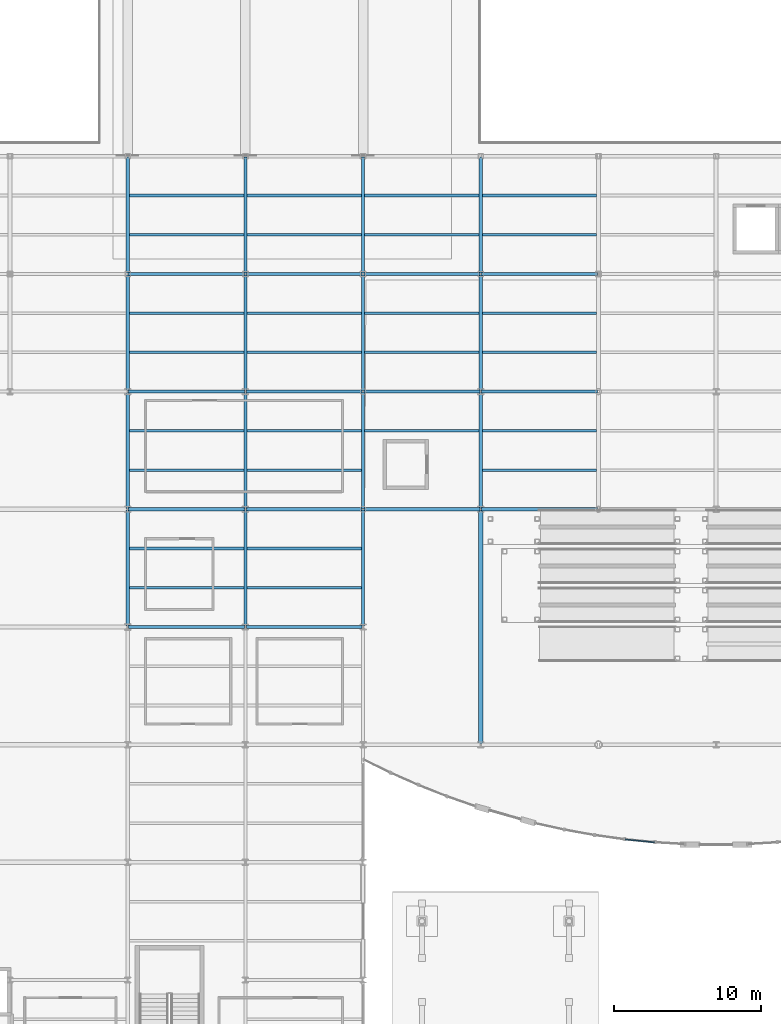
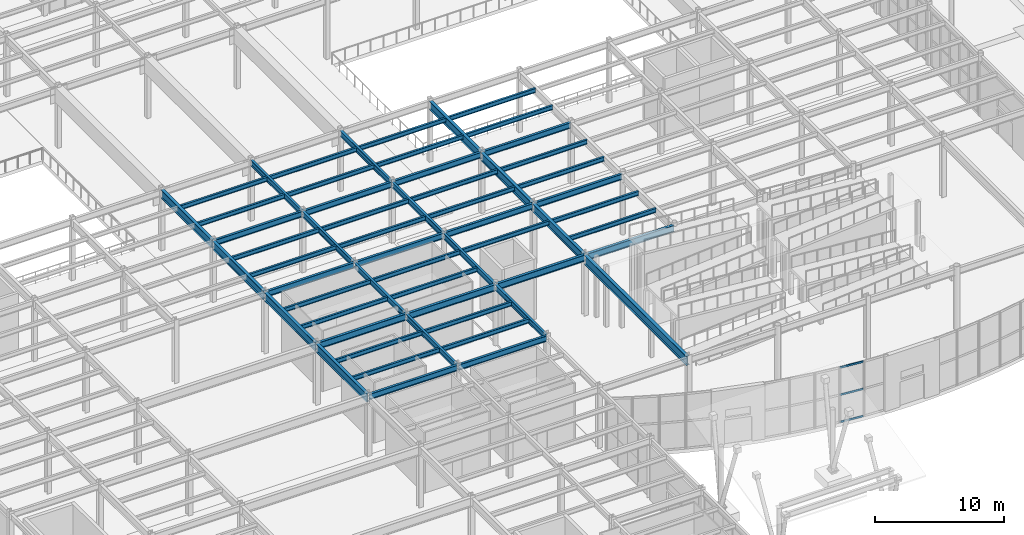
# One storey, part 33 of 82: 57 beams, 3 members, 1 element without a shape of its own.
"""IFC4 building model written with IfcOpenShell, lengths in metres."""

from ifc_helpers import new_model, si_unit, direction, frame, origin, origin_2d, place, context, subcontext, project, spatial, rectangle, i_section, extrude, material, material_profile, profile_set, type_object, element, aggregate, save


model = new_model("IFC4")

# Units and contexts
model_context = context("Model", 3, precision=1e-05, world=origin(), true_north=direction((0.0, 1.0)))
body_context = subcontext(model_context, "Body", "Model", "MODEL_VIEW")
ifc_project = project(units=[si_unit("LENGTHUNIT", "METRE"), si_unit("AREAUNIT", "SQUARE_METRE"), si_unit("VOLUMEUNIT", "CUBIC_METRE"), si_unit("PLANEANGLEUNIT", "RADIAN"), si_unit("MASSUNIT", "GRAM", prefix="KILO")], contexts=[model_context])

# Site, building, storey
site_placement = place(None, origin())
site = spatial("IfcSite", under=ifc_project, at=site_placement, CompositionType="ELEMENT")
building_placement = place(site_placement, origin())
building = spatial("IfcBuilding", under=site, at=building_placement, Name="Drelvath Fold Interchange", CompositionType="ELEMENT")
storey_placement = place(building_placement, origin())
storey = spatial("IfcBuildingStorey", under=building, at=storey_placement, Name="L00", CompositionType="ELEMENT", Elevation=0.0)

# Beams
ifc_material_1 = material(Name="Steel ASTM A992 Grade 50", Category="steel")
ifc_material_profile_1 = material_profile(ifc_material_1, i_section(OverallWidth=0.177978515625, OverallDepth=0.403076171875, WebThickness=0.007568359375, FlangeThickness=0.010986328125, at=origin_2d()), Name="W16X36")
ifc_profile_set_1 = profile_set([ifc_material_profile_1], Name="Steel ASTM A992 Grade 50")
beam_type_1 = type_object("IfcBeamType", Name="BM-W16X36", PredefinedType="JOIST", material=ifc_profile_set_1)
for number, where, z_axis, x_axis, name in (
    (1, (36.131103515625, 37.6669921875, 5.55810546875), (1.0, 0.0, 0.0), (0.0, 1.0, 0.0), "L00 Secondary floor joist BM-W16X36"),
    (2, (36.131103515625, 40.3330078125, 5.55810546875), (1.0, 0.0, 0.0), (0.0, 1.0, 0.0), "L00 Secondary floor joist BM-W16X36"),
    (3, (36.131103515625, 45.6669921875, 5.55810546875), (1.0, 0.0, 0.0), (0.0, 1.0, 0.0), "L00 Secondary floor joist BM-W16X36"),
    (4, (36.131103515625, 48.3330078125, 5.55810546875), (1.0, 0.0, 0.0), (0.0, 1.0, 0.0), "L00 Secondary floor joist BM-W16X36"),
    (5, (36.131103515625, 53.6669921875, 5.55810546875), (1.0, 0.0, 0.0), (0.0, 1.0, 0.0), "L00 Secondary floor joist BM-W16X36"),
    (6, (36.131103515625, 56.3330078125, 5.55810546875), (1.0, 0.0, 0.0), (0.0, 1.0, 0.0), "L00 Secondary floor joist BM-W16X36"),
    (7, (36.131103515625, 61.6669921875, 5.55810546875), (1.0, 0.0, 0.0), (0.0, 1.0, 0.0), "L00 Secondary floor joist BM-W16X36"),
    (8, (36.131103515625, 64.3330078125, 5.55810546875), (1.0, 0.0, 0.0), (0.0, 1.0, 0.0), "L00 Secondary floor joist BM-W16X36"),
):
    element("IfcBeam", number, at=place(storey_placement, frame(where, z_axis=z_axis, x_axis=x_axis)), inside=storey, type_object=beam_type_1, Name=name, PredefinedType="JOIST", context=body_context, shape_type="SweptSolid", body=[
        extrude(i_section(OverallWidth=0.177978515625, OverallDepth=0.403076171875, WebThickness=0.007568359375, FlangeThickness=0.010986328125, at=origin_2d()), origin(), (0.0, 0.0, 1.0), 7.765869140625),
    ])
for number, where, z_axis, x_axis, name in (
    (9, (44.10302734375, 37.6669921875, 5.5380859375), (1.0, 0.0, 0.0), (0.0, 1.0, 0.0), "L00 Secondary floor joist BM-W16X36"),
    (10, (44.10302734375, 40.3330078125, 5.5380859375), (1.0, 0.0, 0.0), (0.0, 1.0, 0.0), "L00 Secondary floor joist BM-W16X36"),
    (11, (44.10302734375, 45.6669921875, 5.5380859375), (1.0, 0.0, 0.0), (0.0, 1.0, 0.0), "L00 Secondary floor joist BM-W16X36"),
    (12, (44.10302734375, 48.3330078125, 5.5380859375), (1.0, 0.0, 0.0), (0.0, 1.0, 0.0), "L00 Secondary floor joist BM-W16X36"),
    (13, (44.10302734375, 53.6669921875, 5.5380859375), (1.0, 0.0, 0.0), (0.0, 1.0, 0.0), "L00 Secondary floor joist BM-W16X36"),
    (14, (44.10302734375, 56.3330078125, 5.5380859375), (1.0, 0.0, 0.0), (0.0, 1.0, 0.0), "L00 Secondary floor joist BM-W16X36"),
    (15, (44.10302734375, 61.6669921875, 5.55810546875), (1.0, 0.0, 0.0), (0.0, 1.0, 0.0), "L00 Secondary floor joist BM-W16X36"),
    (16, (44.10302734375, 64.3330078125, 5.55810546875), (1.0, 0.0, 0.0), (0.0, 1.0, 0.0), "L00 Secondary floor joist BM-W16X36"),
):
    element("IfcBeam", number, at=place(storey_placement, frame(where, z_axis=z_axis, x_axis=x_axis)), inside=storey, type_object=beam_type_1, Name=name, PredefinedType="JOIST", context=body_context, shape_type="SweptSolid", body=[
        extrude(i_section(OverallWidth=0.177978515625, OverallDepth=0.403076171875, WebThickness=0.007568359375, FlangeThickness=0.010986328125, at=origin_2d()), origin(), (0.0, 0.0, 1.0), 7.7939453125),
    ])
for number, where, z_axis, x_axis, name in (
    (17, (52.10302734375, 48.3330078125, 5.5380859375), (1.0, 0.0, 0.0), (0.0, 1.0, 0.0), "L00 Secondary floor joist BM-W16X36"),
    (18, (52.10302734375, 53.6669921875, 5.5380859375), (1.0, 0.0, 0.0), (0.0, 1.0, 0.0), "L00 Secondary floor joist BM-W16X36"),
    (19, (52.10302734375, 56.3330078125, 5.5380859375), (1.0, 0.0, 0.0), (0.0, 1.0, 0.0), "L00 Secondary floor joist BM-W16X36"),
    (20, (52.10302734375, 61.6669921875, 5.55810546875), (1.0, 0.0, 0.0), (0.0, 1.0, 0.0), "L00 Secondary floor joist BM-W16X36"),
    (21, (52.10302734375, 64.3330078125, 5.55810546875), (1.0, 0.0, 0.0), (0.0, 1.0, 0.0), "L00 Secondary floor joist BM-W16X36"),
):
    element("IfcBeam", number, at=place(storey_placement, frame(where, z_axis=z_axis, x_axis=x_axis)), inside=storey, type_object=beam_type_1, Name=name, PredefinedType="JOIST", context=body_context, shape_type="SweptSolid", body=[
        extrude(i_section(OverallWidth=0.177978515625, OverallDepth=0.403076171875, WebThickness=0.007568359375, FlangeThickness=0.010986328125, at=origin_2d()), origin(), (0.0, 0.0, 1.0), 7.765869140625),
    ])
for number, where, z_axis, x_axis, name in (
    (22, (60.131103515625, 45.6669921875, 5.5380859375), (1.0, 0.0, 0.0), (0.0, 1.0, 0.0), "L00 Secondary floor joist BM-W16X36"),
    (23, (60.131103515625, 48.3330078125, 5.5380859375), (1.0, 0.0, 0.0), (0.0, 1.0, 0.0), "L00 Secondary floor joist BM-W16X36"),
    (24, (60.131103515625, 53.6669921875, 5.5380859375), (1.0, 0.0, 0.0), (0.0, 1.0, 0.0), "L00 Secondary floor joist BM-W16X36"),
    (25, (60.131103515625, 56.3330078125, 5.5380859375), (1.0, 0.0, 0.0), (0.0, 1.0, 0.0), "L00 Secondary floor joist BM-W16X36"),
    (26, (60.131103515625, 61.6669921875, 5.55810546875), (1.0, 0.0, 0.0), (0.0, 1.0, 0.0), "L00 Secondary floor joist BM-W16X36"),
    (27, (60.131103515625, 64.3330078125, 5.55810546875), (1.0, 0.0, 0.0), (0.0, 1.0, 0.0), "L00 Secondary floor joist BM-W16X36"),
):
    element("IfcBeam", number, at=place(storey_placement, frame(where, z_axis=z_axis, x_axis=x_axis)), inside=storey, type_object=beam_type_1, Name=name, PredefinedType="JOIST", context=body_context, shape_type="SweptSolid", body=[
        extrude(i_section(OverallWidth=0.177978515625, OverallDepth=0.403076171875, WebThickness=0.007568359375, FlangeThickness=0.010986328125, at=origin_2d()), origin(), (0.0, 0.0, 1.0), 7.73779296875),
    ])
ifc_material_profile_2 = material_profile(ifc_material_1, i_section(OverallWidth=0.2099609375, OverallDepth=0.537109375, WebThickness=0.010986328125, FlangeThickness=0.017333984375, at=origin_2d()), Name="W21X68")
ifc_profile_set_2 = profile_set([ifc_material_profile_2], Name="Steel ASTM A992 Grade 50")
beam_type_2 = type_object("IfcBeamType", Name="BM-W21X68", PredefinedType="SPANDREL", material=ifc_profile_set_2)
for number, where, z_axis, x_axis, name in (
    (28, (36.06005859375, 35.0, 5.490966796875), (1.0, 0.0, 0.0), (0.0, 1.0, 0.0), "L00 Primary X girder BM-W21X68"),
    (29, (44.06005859375, 35.0, 5.470947265625), (1.0, 0.0, 0.0), (0.0, 1.0, 0.0), "L00 Primary X girder BM-W21X68"),
    (30, (36.06005859375, 51.0, 5.490966796875), (1.0, 0.0, 0.0), (0.0, 1.0, 0.0), "L00 Primary X girder BM-W21X68"),
    (31, (44.06005859375, 51.0, 5.470947265625), (1.0, 0.0, 0.0), (0.0, 1.0, 0.0), "L00 Primary X girder BM-W21X68"),
    (32, (52.06005859375, 51.0, 5.470947265625), (1.0, 0.0, 0.0), (0.0, 1.0, 0.0), "L00 Primary X girder BM-W21X68"),
    (33, (60.06005859375, 51.0, 5.470947265625), (1.0, 0.0, 0.0), (0.0, 1.0, 0.0), "L00 Primary X girder BM-W21X68"),
    (34, (36.06005859375, 59.0, 5.490966796875), (1.0, 0.0, 0.0), (0.0, 1.0, 0.0), "L00 Primary X girder BM-W21X68"),
    (35, (44.06005859375, 59.0, 5.470947265625), (1.0, 0.0, 0.0), (0.0, 1.0, 0.0), "L00 Primary X girder BM-W21X68"),
    (36, (52.06005859375, 59.0, 5.470947265625), (1.0, 0.0, 0.0), (0.0, 1.0, 0.0), "L00 Primary X girder BM-W21X68"),
    (37, (60.06005859375, 59.0, 5.470947265625), (1.0, 0.0, 0.0), (0.0, 1.0, 0.0), "L00 Primary X girder BM-W21X68"),
    (38, (44.0, 35.06005859375, 5.490966796875), (0.0, 1.0, 0.0), (-1.0, 0.0, 0.0), "L00 Primary Y girder BM-W21X68"),
    (39, (44.0, 43.06005859375, 5.490966796875), (0.0, 1.0, 0.0), (-1.0, 0.0, 0.0), "L00 Primary Y girder BM-W21X68"),
    (40, (44.0, 51.06005859375, 5.490966796875), (0.0, 1.0, 0.0), (-1.0, 0.0, 0.0), "L00 Primary Y girder BM-W21X68"),
    (41, (44.0, 59.06005859375, 5.490966796875), (0.0, 1.0, 0.0), (-1.0, 0.0, 0.0), "L00 Primary Y girder BM-W21X68"),
    (42, (52.0, 35.06005859375, 5.470947265625), (0.0, 1.0, 0.0), (-1.0, 0.0, 0.0), "L00 Primary Y girder BM-W21X68"),
    (43, (52.0, 43.06005859375, 5.470947265625), (0.0, 1.0, 0.0), (-1.0, 0.0, 0.0), "L00 Primary Y girder BM-W21X68"),
    (44, (52.0, 51.06005859375, 5.470947265625), (0.0, 1.0, 0.0), (-1.0, 0.0, 0.0), "L00 Primary Y girder BM-W21X68"),
    (45, (52.0, 59.06005859375, 5.470947265625), (0.0, 1.0, 0.0), (-1.0, 0.0, 0.0), "L00 Primary Y girder BM-W21X68"),
):
    element("IfcBeam", number, at=place(storey_placement, frame(where, z_axis=z_axis, x_axis=x_axis)), inside=storey, type_object=beam_type_2, Name=name, PredefinedType="SPANDREL", context=body_context, shape_type="SweptSolid", body=[
        extrude(i_section(OverallWidth=0.2099609375, OverallDepth=0.537109375, WebThickness=0.010986328125, FlangeThickness=0.017333984375, at=origin_2d()), origin(), (0.0, 0.0, 1.0), 7.8798828125),
    ])
ifc_material_profile_3 = material_profile(ifc_material_1, i_section(OverallWidth=0.22998046875, OverallDepth=0.616943359375, WebThickness=0.01318359375, FlangeThickness=0.022216796875, at=origin_2d()), Name="W24X94")
ifc_profile_set_3 = profile_set([ifc_material_profile_3], Name="Steel ASTM A992 Grade 50")
beam_type_3 = type_object("IfcBeamType", Name="BM-W24X94", PredefinedType="BEAM", material=ifc_profile_set_3)
for number, where, z_axis, x_axis, name in (
    (46, (36.06005859375, 43.0, 5.450927734375), (1.0, 0.0, 0.0), (0.0, 1.0, 0.0), "L00 Primary X girder BM-W24X94"),
    (47, (44.06005859375, 43.0, 5.430908203125), (1.0, 0.0, 0.0), (0.0, 1.0, 0.0), "L00 Primary X girder BM-W24X94"),
    (48, (52.06005859375, 43.0, 5.430908203125), (1.0, 0.0, 0.0), (0.0, 1.0, 0.0), "L00 Primary X girder BM-W24X94"),
    (49, (60.06005859375, 43.0, 5.430908203125), (1.0, 0.0, 0.0), (0.0, 1.0, 0.0), "L00 Primary X girder BM-W24X94"),
):
    element("IfcBeam", number, at=place(storey_placement, frame(where, z_axis=z_axis, x_axis=x_axis)), inside=storey, type_object=beam_type_3, Name=name, PredefinedType="BEAM", context=body_context, shape_type="SweptSolid", body=[
        extrude(i_section(OverallWidth=0.22998046875, OverallDepth=0.616943359375, WebThickness=0.01318359375, FlangeThickness=0.022216796875, at=origin_2d()), origin(), (0.0, 0.0, 1.0), 7.8798828125),
    ])
ifc_material_profile_4 = material_profile(ifc_material_1, i_section(OverallWidth=0.26611328125, OverallDepth=0.779052734375, WebThickness=0.0166015625, FlangeThickness=0.030029296875, at=origin_2d()), Name="W30X148")
ifc_profile_set_4 = profile_set([ifc_material_profile_4], Name="Steel ASTM A992 Grade 50")
beam_type_4 = type_object("IfcBeamType", Name="BM-W30X148", PredefinedType="BEAM", material=ifc_profile_set_4)
for number, where, z_axis, x_axis, name in (
    (50, (36.0, 35.06005859375, 5.3701171875), (0.0, 1.0, 0.0), (-1.0, 0.0, 0.0), "L00 Primary Y girder BM-W30X148"),
    (51, (36.0, 43.06005859375, 5.3701171875), (0.0, 1.0, 0.0), (-1.0, 0.0, 0.0), "L00 Primary Y girder BM-W30X148"),
    (52, (36.0, 51.06005859375, 5.3701171875), (0.0, 1.0, 0.0), (-1.0, 0.0, 0.0), "L00 Primary Y girder BM-W30X148"),
    (53, (36.0, 59.06005859375, 5.3701171875), (0.0, 1.0, 0.0), (-1.0, 0.0, 0.0), "L00 Primary Y girder BM-W30X148"),
    (54, (60.0, 43.06005859375, 5.35107421875), (0.0, 1.0, 0.0), (-1.0, 0.0, 0.0), "L00 Primary Y girder BM-W30X148"),
    (55, (60.0, 51.06005859375, 5.35107421875), (0.0, 1.0, 0.0), (-1.0, 0.0, 0.0), "L00 Primary Y girder BM-W30X148"),
    (56, (60.0, 59.06005859375, 5.35107421875), (0.0, 1.0, 0.0), (-1.0, 0.0, 0.0), "L00 Primary Y girder BM-W30X148"),
):
    element("IfcBeam", number, at=place(storey_placement, frame(where, z_axis=z_axis, x_axis=x_axis)), inside=storey, type_object=beam_type_4, Name=name, PredefinedType="BEAM", context=body_context, shape_type="SweptSolid", body=[
        extrude(i_section(OverallWidth=0.26611328125, OverallDepth=0.779052734375, WebThickness=0.0166015625, FlangeThickness=0.030029296875, at=origin_2d()), origin(), (0.0, 0.0, 1.0), 7.8798828125),
    ])
ifc_material_profile_5 = material_profile(ifc_material_1, i_section(OverallWidth=0.2919921875, OverallDepth=0.85888671875, WebThickness=0.01708984375, FlangeThickness=0.031005859375, at=origin_2d()), Name="W33X169")
ifc_profile_set_5 = profile_set([ifc_material_profile_5], Name="Steel ASTM A992 Grade 50")
beam_type_5 = type_object("IfcBeamType", Name="BM-W33X169", PredefinedType="USERDEFINED", material=ifc_profile_set_5)
beam_placement = place(storey_placement, frame((60.0, 27.06005859375, 5.31103515625), z_axis=(0.0, 1.0, 0.0), x_axis=(-1.0, 0.0, 0.0)))
element("IfcBeam", 57, at=beam_placement, inside=storey, type_object=beam_type_5, Name="L00 Primary Y girder BM-W33X169", ObjectType="GIRDER", PredefinedType="USERDEFINED", context=body_context, shape_type="SweptSolid", body=[
    extrude(i_section(OverallWidth=0.2919921875, OverallDepth=0.85888671875, WebThickness=0.01708984375, FlangeThickness=0.031005859375, at=origin_2d()), origin(), (0.0, 0.0, 1.0), 15.8798828125),
])

# Curtain wall, members
ifc_material_2 = material(Name="Anodized Aluminium 6063-T6", Category="aluminium")
curtain_wall_type = type_object("IfcCurtainWallType", Name="CW-ARC-L00", PredefinedType="USERDEFINED", material=ifc_material_2)
curtain_wall_placement = place(storey_placement, origin())
curtain_wall = element("IfcCurtainWall", 58, at=curtain_wall_placement, inside=storey, type_object=curtain_wall_type, Name="Curtain wall CW-WH-L00-09", ObjectType="UNITISED CURTAIN WALL", PredefinedType="USERDEFINED")
ifc_material_profile_6 = material_profile(ifc_material_2, rectangle(XDim=0.070068359375, YDim=0.169921875, at=origin_2d()), Name="AL-T 70x170")
ifc_profile_set_6 = profile_set([ifc_material_profile_6], Name="Anodized Aluminium 6063-T6")
member_type = type_object("IfcMemberType", Name="TR-170", PredefinedType="USERDEFINED", material=ifc_profile_set_6)
member_1_placement = place(storey_placement, frame((69.822998046875, 20.55810546875, 0.030029296875), z_axis=(0.995120367662, -0.098668403576, 0.0), x_axis=(0.098668403576, 0.995120367662, 0.0)))
member_1 = element("IfcMember", 59, at=member_1_placement, type_object=member_type, Name="CW-WH-L00-09 transom 0", ObjectType="TRANSOM", PredefinedType="USERDEFINED", context=body_context, shape_type="SweptSolid", body=[
    extrude(rectangle(XDim=0.070068359375, YDim=0.169921875, at=origin_2d()), origin(), (0.0, 0.0, 1.0), 1.996826171875),
])
member_2_placement = place(storey_placement, frame((69.822998046875, 20.55810546875, 2.60009765625), z_axis=(0.995120367662, -0.098668403576, 0.0), x_axis=(0.098668403576, 0.995120367662, 0.0)))
member_2 = element("IfcMember", 60, at=member_2_placement, type_object=member_type, Name="CW-WH-L00-09 transom 1", ObjectType="TRANSOM", PredefinedType="USERDEFINED", context=body_context, shape_type="SweptSolid", body=[
    extrude(rectangle(XDim=0.070068359375, YDim=0.169921875, at=origin_2d()), origin(), (0.0, 0.0, 1.0), 1.996826171875),
])
member_3_placement = place(storey_placement, frame((69.822998046875, 20.55810546875, 5.169921875), z_axis=(0.995120367662, -0.098668403576, 0.0), x_axis=(0.098668403576, 0.995120367662, 0.0)))
member_3 = element("IfcMember", 61, at=member_3_placement, type_object=member_type, Name="CW-WH-L00-09 transom 2", ObjectType="TRANSOM", PredefinedType="USERDEFINED", context=body_context, shape_type="SweptSolid", body=[
    extrude(rectangle(XDim=0.070068359375, YDim=0.169921875, at=origin_2d()), origin(), (0.0, 0.0, 1.0), 1.996826171875),
])
aggregate(curtain_wall, [member_1, member_2, member_3])

save(model, "model.ifc")
